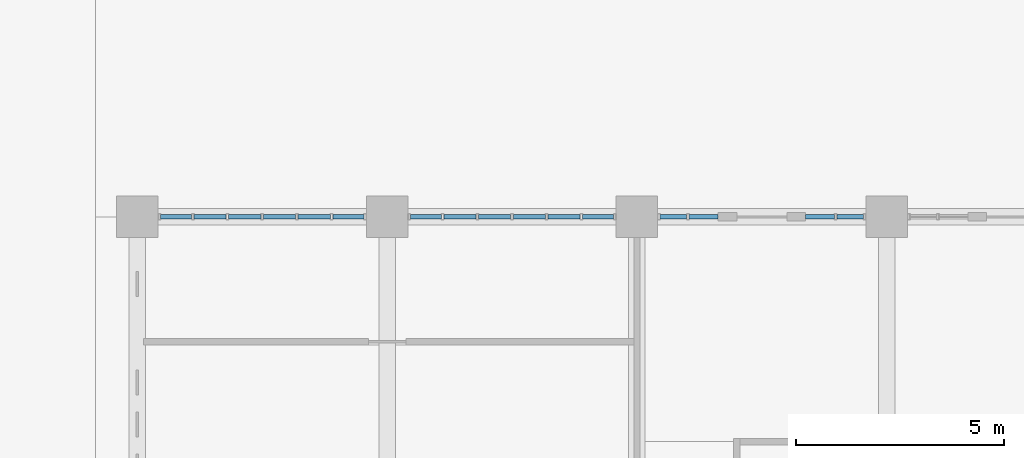
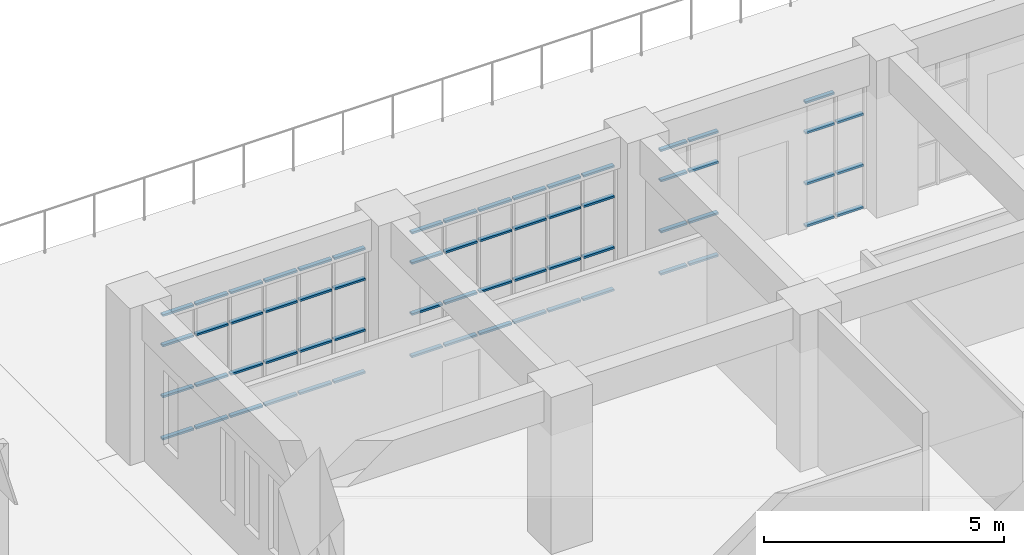
# One storey, part 58 of 101: 63 members, 4 elements without a shape of their own.
"""IFC4 building model written with IfcOpenShell, lengths in metres."""

import ifcopenshell
import ifcopenshell.guid

model = None  # the IFC model being written
_history = None  # IfcOwnerHistory: only IFC2X3 demands one
_inside = {}  # id of a spatial element -> (the spatial element, [elements in it])
_under = {}  # id of a project, library or spatial element -> (it, [spatial elements below it])
_declared = {}  # id of a project -> (the project, [libraries it declares])
_typed = {}  # id of a type object -> (the type object, [elements of that type])
_made_of = {}  # id of a material, layer set ... -> (it, [elements and type objects made of it])


def new_model(schema):
    """Start an empty IFC model of exactly this schema.

    Asked for "IFC4X3", IfcOpenShell would pick the latest addendum, in which some entities
    have other attributes; the version numbers below select the first issue.
    IFC2X3 requires an IfcOwnerHistory on every rooted entity: one is made here for all.
    """
    global model, _history
    if schema == "IFC4X3":
        model = ifcopenshell.file(schema_version=(4, 3, 0, 0))
    else:
        model = ifcopenshell.file(schema=schema)
    _inside.clear()
    _under.clear()
    _declared.clear()
    _typed.clear()
    _made_of.clear()
    _history = None
    if model.schema == "IFC2X3":
        org = make("IfcOrganization", Name="unknown")
        user = make(
            "IfcPersonAndOrganization",
            ThePerson=make("IfcPerson", FamilyName="unknown"),
            TheOrganization=org,
        )
        app = make(
            "IfcApplication",
            ApplicationDeveloper=org,
            Version="unknown",
            ApplicationFullName="unknown",
            ApplicationIdentifier="unknown",
        )
        _history = make(
            "IfcOwnerHistory",
            OwningUser=user,
            OwningApplication=app,
            ChangeAction="ADDED",
            CreationDate=0,
        )
    return model


def make(cls, **values):
    """One entity of the class cls with the attributes given. An attribute that is None is left unset."""
    return model.create_entity(
        cls, **{name: value for name, value in values.items() if value is not None}
    )


def rooted(cls, **values):
    """An entity with a GlobalId (a new one), such as an element, a storey or a relation."""
    return make(cls, GlobalId=ifcopenshell.guid.new(), OwnerHistory=_history, **values)


def si_unit(unit_type, name, prefix=None):
    """IfcSIUnit, for example si_unit("LENGTHUNIT", "METRE", prefix="MILLI")."""
    return make("IfcSIUnit", UnitType=unit_type, Prefix=prefix, Name=name)


def assignment(units):
    """IfcUnitAssignment: the units of a project."""
    return None if units is None else make("IfcUnitAssignment", Units=units)


def point(xyz):
    """IfcCartesianPoint."""
    return None if xyz is None else make("IfcCartesianPoint", Coordinates=xyz)


def direction(xyz):
    """IfcDirection."""
    return None if xyz is None else make("IfcDirection", DirectionRatios=xyz)


def frame(location, z_axis=None, x_axis=None):
    """IfcAxis2Placement3D, a coordinate frame: its origin and axes. An axis left out is left unset."""
    return make(
        "IfcAxis2Placement3D",
        Location=point(location),
        Axis=direction(z_axis),
        RefDirection=direction(x_axis),
    )


def frame_2d(location, x_axis=None):
    """IfcAxis2Placement2D, a coordinate frame in the plane: its origin and x axis."""
    return make(
        "IfcAxis2Placement2D", Location=point(location), RefDirection=direction(x_axis)
    )


def origin():
    """The frame at (0, 0, 0) with its axes left unset."""
    return frame((0.0, 0.0, 0.0))


def origin_2d():
    """The frame at (0, 0) in the plane with its x axis left unset."""
    return frame_2d((0.0, 0.0))


def place(relative_to, where):
    """IfcLocalPlacement: puts the frame where relative to a parent placement (None: the world)."""
    return make(
        "IfcLocalPlacement", PlacementRelTo=relative_to, RelativePlacement=where
    )


def context(
    kind, dimensions, precision=None, world=None, true_north=None, identifier=None
):
    """IfcGeometricRepresentationContext, for example the 3D "Model" context."""
    return make(
        "IfcGeometricRepresentationContext",
        ContextIdentifier=identifier,
        ContextType=kind,
        CoordinateSpaceDimension=dimensions,
        Precision=precision,
        WorldCoordinateSystem=world,
        TrueNorth=true_north,
    )


def subcontext(parent, identifier, kind, view, scale=None):
    """IfcGeometricRepresentationSubContext, for example "Body" below "Model"."""
    return make(
        "IfcGeometricRepresentationSubContext",
        ContextIdentifier=identifier,
        ContextType=kind,
        ParentContext=parent,
        TargetScale=scale,
        TargetView=view,
    )


def project(units=None, contexts=None):
    """IfcProject with its units and contexts."""
    return rooted(
        "IfcProject",
        Name="project",
        RepresentationContexts=contexts,
        UnitsInContext=assignment(units),
    )


def spatial(cls, under=None, at=None, **own):
    """A site, building, storey or space (cls), placed at a placement, below another one or the project."""
    s = rooted(cls, ObjectPlacement=at, **own)
    if under is not None:
        _under.setdefault(under.id(), (under, []))[1].append(s)
    return s


def profile(cls, at=None, kind="AREA", **sizes):
    """A parametric profile (cls). Its sizes go by their IFC names, for example OverallWidth=200.0."""
    return make(cls, ProfileType=kind, Position=at, **sizes)


def hollow_rectangle(**sizes):
    """IfcRectangleHollowProfileDef."""
    return profile("IfcRectangleHollowProfileDef", **sizes)


def extrude(swept, where, along, depth):
    """IfcExtrudedAreaSolid: the profile swept, set in the frame where, extruded along a direction by depth."""
    return make(
        "IfcExtrudedAreaSolid",
        SweptArea=swept,
        Position=where,
        ExtrudedDirection=direction(along),
        Depth=depth,
    )


def shape(context_of_items, identifier, shape_type, items):
    """IfcShapeRepresentation: the items that make up one representation, for example the "Body"."""
    return make(
        "IfcShapeRepresentation",
        ContextOfItems=context_of_items,
        RepresentationIdentifier=identifier,
        RepresentationType=shape_type,
        Items=items,
    )


def material(Name=None, Category=None):
    """IfcMaterial."""
    return make("IfcMaterial", Name=Name, Category=Category)


def material_profile(
    of_material, cross_section, Name=None, Category=None, Priority=None
):
    """IfcMaterialProfile: a cross section and its material."""
    return make(
        "IfcMaterialProfile",
        Name=Name,
        Material=of_material,
        Profile=cross_section,
        Priority=Priority,
        Category=Category,
    )


def profile_set(profiles, Name=None, composite=None):
    """IfcMaterialProfileSet."""
    return make(
        "IfcMaterialProfileSet",
        Name=Name,
        MaterialProfiles=profiles,
        CompositeProfile=composite,
    )


def made_of(thing, what):
    """Note that an element or type object is made of a material, layer set ...; save() writes the relation."""
    if what is not None:
        _made_of.setdefault(what.id(), (what, []))[1].append(thing)
    return thing


def type_object(cls, material=None, **own):
    """A type object (cls), such as IfcWallType, which elements share."""
    return made_of(rooted(cls, **own), material)


def element(
    cls,
    number,
    at=None,
    inside=None,
    cuts=None,
    type_object=None,
    material=None,
    context=None,
    identifier="Body",
    shape_type=None,
    held_by="IfcProductDefinitionShape",
    body=None,
    shapes=None,
    **own,
):
    """One element of the class cls, such as IfcWall. Its Tag is "e" and its number.

    at: its placement. inside: the storey or other place that contains it. cuts: it is an
    opening in that element (IfcRelVoidsElement). A single representation is given by context,
    identifier, shape_type and body (its items); several are given by shapes. held_by: the class
    of the entity that holds the representations. save() writes the other relations.
    """
    e = rooted(cls, Tag="e%d" % number, ObjectPlacement=at, **own)
    if body is not None:
        shapes = [shape(context, identifier, shape_type, body)]
    if shapes is not None:
        e.Representation = make(held_by, Representations=shapes)
    if inside is not None:
        _inside.setdefault(inside.id(), (inside, []))[1].append(e)
    if cuts is not None:
        rooted(
            "IfcRelVoidsElement", RelatingBuildingElement=cuts, RelatedOpeningElement=e
        )
    if type_object is not None:
        _typed.setdefault(type_object.id(), (type_object, []))[1].append(e)
    return made_of(e, material)


def aggregate(whole, parts):
    """IfcRelAggregates: a whole, such as a stair, and the parts it consists of."""
    return rooted("IfcRelAggregates", RelatingObject=whole, RelatedObjects=parts)


def save(model, path):
    """Write the relations noted so far, then the file.

    IfcRelAggregates (storeys below a building ...), IfcRelContainedInSpatialStructure (elements
    in a storey), IfcRelDefinesByType, IfcRelAssociatesMaterial and IfcRelDeclares: one each for
    every whole, place, type object, material and project.
    """
    for whole, parts in _under.values():
        aggregate(whole, parts)
    for where, things in _inside.values():
        rooted(
            "IfcRelContainedInSpatialStructure",
            RelatedElements=things,
            RelatingStructure=where,
        )
    for kind, things in _typed.values():
        rooted("IfcRelDefinesByType", RelatedObjects=things, RelatingType=kind)
    for what, things in _made_of.values():
        rooted("IfcRelAssociatesMaterial", RelatedObjects=things, RelatingMaterial=what)
    for by, libraries in _declared.values():
        rooted("IfcRelDeclares", RelatingContext=by, RelatedDefinitions=libraries)
    model.write(path)


model = new_model("IFC4")

# Units and contexts
model_context = context("Model", 3, precision=1e-05, world=origin(), true_north=direction((0.0, 1.0)))
body_context = subcontext(model_context, "Body", "Model", "MODEL_VIEW")
ifc_project = project(units=[si_unit("LENGTHUNIT", "METRE"), si_unit("AREAUNIT", "SQUARE_METRE"), si_unit("VOLUMEUNIT", "CUBIC_METRE"), si_unit("PLANEANGLEUNIT", "RADIAN"), si_unit("MASSUNIT", "GRAM", prefix="KILO")], contexts=[model_context])

# Site, building, storey
site_placement = place(None, origin())
site = spatial("IfcSite", under=ifc_project, at=site_placement, CompositionType="ELEMENT")
building_placement = place(site_placement, origin())
building = spatial("IfcBuilding", under=site, at=building_placement, Name="Laocheng Heights Fire and Rescue Headquarters", CompositionType="ELEMENT")
storey_placement = place(building_placement, frame((0.0, 0.0, 8.39990234375)))
storey = spatial("IfcBuildingStorey", under=building, at=storey_placement, Name="L02", CompositionType="ELEMENT", Elevation=8.39990234375)

# Curtain wall, members
ifc_material_1 = material(Name="Dark anodised aluminium unitised curtain wall, low-e double glazing", Category="aluminium")
curtain_wall_type_1 = type_object("IfcCurtainWallType", Name="CW 5000 x 3200 HQ NORTH GLAZING", PredefinedType="NOTDEFINED", material=ifc_material_1)
curtain_wall_1_placement = place(storey_placement, origin())
curtain_wall_1 = element("IfcCurtainWall", 1, at=curtain_wall_1_placement, inside=storey, type_object=curtain_wall_type_1, Name="X17-X HQ NORTH L02", PredefinedType="NOTDEFINED")
ifc_material_2 = material(Name="Dark anodised aluminium 6063-T5 extrusion", Category="aluminium")
ifc_material_profile = material_profile(ifc_material_2, hollow_rectangle(XDim=0.10009765625, YDim=0.050048828125, WallThickness=0.0029296875, at=origin_2d()), Name="AL TRANSOM 100x50x3 HQ NORTH GLAZING")
ifc_profile_set = profile_set([ifc_material_profile], Name="Dark anodised aluminium 6063-T5 extrusion")
member_type = type_object("IfcMemberType", Name="AL TRANSOM 100x50x3 HQ NORTH GLAZING", PredefinedType="USERDEFINED", material=ifc_profile_set)
member_1_placement = place(storey_placement, frame((36.56005859375, 72.0, 0.025146484375), z_axis=(1.0, 0.0, 0.0), x_axis=(0.0, 1.0, 0.0)))
member_1 = element("IfcMember", 2, at=member_1_placement, type_object=member_type, Name="X17-X transom 1.1", ObjectType="TRANSOM", PredefinedType="USERDEFINED", context=body_context, shape_type="SweptSolid", body=[
    extrude(hollow_rectangle(XDim=0.10009765625, YDim=0.050048828125, WallThickness=0.0029296875, at=origin_2d()), origin(), (0.0, 0.0, 1.0), 0.7431640625),
])
member_2_placement = place(storey_placement, frame((36.56005859375, 72.0, 1.10009765625), z_axis=(1.0, 0.0, 0.0), x_axis=(0.0, 1.0, 0.0)))
member_2 = element("IfcMember", 3, at=member_2_placement, type_object=member_type, Name="X17-X transom 1.2", ObjectType="TRANSOM", PredefinedType="USERDEFINED", context=body_context, shape_type="SweptSolid", body=[
    extrude(hollow_rectangle(XDim=0.10009765625, YDim=0.050048828125, WallThickness=0.0029296875, at=origin_2d()), origin(), (0.0, 0.0, 1.0), 0.7431640625),
])
member_3_placement = place(storey_placement, frame((36.56005859375, 72.0, 2.400146484375), z_axis=(1.0, 0.0, 0.0), x_axis=(0.0, 1.0, 0.0)))
member_3 = element("IfcMember", 4, at=member_3_placement, type_object=member_type, Name="X17-X transom 1.3", ObjectType="TRANSOM", PredefinedType="USERDEFINED", context=body_context, shape_type="SweptSolid", body=[
    extrude(hollow_rectangle(XDim=0.10009765625, YDim=0.050048828125, WallThickness=0.0029296875, at=origin_2d()), origin(), (0.0, 0.0, 1.0), 0.7431640625),
])
member_4_placement = place(storey_placement, frame((36.56005859375, 72.0, 3.175048828125), z_axis=(1.0, 0.0, 0.0), x_axis=(0.0, 1.0, 0.0)))
member_4 = element("IfcMember", 5, at=member_4_placement, type_object=member_type, Name="X17-X transom 1.4", ObjectType="TRANSOM", PredefinedType="USERDEFINED", context=body_context, shape_type="SweptSolid", body=[
    extrude(hollow_rectangle(XDim=0.10009765625, YDim=0.050048828125, WallThickness=0.0029296875, at=origin_2d()), origin(), (0.0, 0.0, 1.0), 0.7431640625),
])
member_5_placement = place(storey_placement, frame((37.36328125, 72.0, 0.025146484375), z_axis=(1.0, 0.0, 0.0), x_axis=(0.0, 1.0, 0.0)))
member_5 = element("IfcMember", 6, at=member_5_placement, type_object=member_type, Name="X17-X transom 2.1", ObjectType="TRANSOM", PredefinedType="USERDEFINED", context=body_context, shape_type="SweptSolid", body=[
    extrude(hollow_rectangle(XDim=0.10009765625, YDim=0.050048828125, WallThickness=0.0029296875, at=origin_2d()), origin(), (0.0, 0.0, 1.0), 0.7734375),
])
member_6_placement = place(storey_placement, frame((37.36328125, 72.0, 1.10009765625), z_axis=(1.0, 0.0, 0.0), x_axis=(0.0, 1.0, 0.0)))
member_6 = element("IfcMember", 7, at=member_6_placement, type_object=member_type, Name="X17-X transom 2.2", ObjectType="TRANSOM", PredefinedType="USERDEFINED", context=body_context, shape_type="SweptSolid", body=[
    extrude(hollow_rectangle(XDim=0.10009765625, YDim=0.050048828125, WallThickness=0.0029296875, at=origin_2d()), origin(), (0.0, 0.0, 1.0), 0.7734375),
])
member_7_placement = place(storey_placement, frame((37.36328125, 72.0, 2.400146484375), z_axis=(1.0, 0.0, 0.0), x_axis=(0.0, 1.0, 0.0)))
member_7 = element("IfcMember", 8, at=member_7_placement, type_object=member_type, Name="X17-X transom 2.3", ObjectType="TRANSOM", PredefinedType="USERDEFINED", context=body_context, shape_type="SweptSolid", body=[
    extrude(hollow_rectangle(XDim=0.10009765625, YDim=0.050048828125, WallThickness=0.0029296875, at=origin_2d()), origin(), (0.0, 0.0, 1.0), 0.7734375),
])
member_8_placement = place(storey_placement, frame((37.36328125, 72.0, 3.175048828125), z_axis=(1.0, 0.0, 0.0), x_axis=(0.0, 1.0, 0.0)))
member_8 = element("IfcMember", 9, at=member_8_placement, type_object=member_type, Name="X17-X transom 2.4", ObjectType="TRANSOM", PredefinedType="USERDEFINED", context=body_context, shape_type="SweptSolid", body=[
    extrude(hollow_rectangle(XDim=0.10009765625, YDim=0.050048828125, WallThickness=0.0029296875, at=origin_2d()), origin(), (0.0, 0.0, 1.0), 0.7734375),
])
member_9_placement = place(storey_placement, frame((38.19677734375, 72.0, 0.025146484375), z_axis=(1.0, 0.0, 0.0), x_axis=(0.0, 1.0, 0.0)))
member_9 = element("IfcMember", 10, at=member_9_placement, type_object=member_type, Name="X17-X transom 3.1", ObjectType="TRANSOM", PredefinedType="USERDEFINED", context=body_context, shape_type="SweptSolid", body=[
    extrude(hollow_rectangle(XDim=0.10009765625, YDim=0.050048828125, WallThickness=0.0029296875, at=origin_2d()), origin(), (0.0, 0.0, 1.0), 0.773193359375),
])
member_10_placement = place(storey_placement, frame((38.19677734375, 72.0, 1.10009765625), z_axis=(1.0, 0.0, 0.0), x_axis=(0.0, 1.0, 0.0)))
member_10 = element("IfcMember", 11, at=member_10_placement, type_object=member_type, Name="X17-X transom 3.2", ObjectType="TRANSOM", PredefinedType="USERDEFINED", context=body_context, shape_type="SweptSolid", body=[
    extrude(hollow_rectangle(XDim=0.10009765625, YDim=0.050048828125, WallThickness=0.0029296875, at=origin_2d()), origin(), (0.0, 0.0, 1.0), 0.773193359375),
])
member_11_placement = place(storey_placement, frame((38.19677734375, 72.0, 2.400146484375), z_axis=(1.0, 0.0, 0.0), x_axis=(0.0, 1.0, 0.0)))
member_11 = element("IfcMember", 12, at=member_11_placement, type_object=member_type, Name="X17-X transom 3.3", ObjectType="TRANSOM", PredefinedType="USERDEFINED", context=body_context, shape_type="SweptSolid", body=[
    extrude(hollow_rectangle(XDim=0.10009765625, YDim=0.050048828125, WallThickness=0.0029296875, at=origin_2d()), origin(), (0.0, 0.0, 1.0), 0.773193359375),
])
member_12_placement = place(storey_placement, frame((38.19677734375, 72.0, 3.175048828125), z_axis=(1.0, 0.0, 0.0), x_axis=(0.0, 1.0, 0.0)))
member_12 = element("IfcMember", 13, at=member_12_placement, type_object=member_type, Name="X17-X transom 3.4", ObjectType="TRANSOM", PredefinedType="USERDEFINED", context=body_context, shape_type="SweptSolid", body=[
    extrude(hollow_rectangle(XDim=0.10009765625, YDim=0.050048828125, WallThickness=0.0029296875, at=origin_2d()), origin(), (0.0, 0.0, 1.0), 0.773193359375),
])
member_13_placement = place(storey_placement, frame((39.030029296875, 72.0, 0.025146484375), z_axis=(1.0, 0.0, 0.0), x_axis=(0.0, 1.0, 0.0)))
member_13 = element("IfcMember", 14, at=member_13_placement, type_object=member_type, Name="X17-X transom 4.1", ObjectType="TRANSOM", PredefinedType="USERDEFINED", context=body_context, shape_type="SweptSolid", body=[
    extrude(hollow_rectangle(XDim=0.10009765625, YDim=0.050048828125, WallThickness=0.0029296875, at=origin_2d()), origin(), (0.0, 0.0, 1.0), 0.773193359375),
])
member_14_placement = place(storey_placement, frame((39.030029296875, 72.0, 1.10009765625), z_axis=(1.0, 0.0, 0.0), x_axis=(0.0, 1.0, 0.0)))
member_14 = element("IfcMember", 15, at=member_14_placement, type_object=member_type, Name="X17-X transom 4.2", ObjectType="TRANSOM", PredefinedType="USERDEFINED", context=body_context, shape_type="SweptSolid", body=[
    extrude(hollow_rectangle(XDim=0.10009765625, YDim=0.050048828125, WallThickness=0.0029296875, at=origin_2d()), origin(), (0.0, 0.0, 1.0), 0.773193359375),
])
member_15_placement = place(storey_placement, frame((39.030029296875, 72.0, 2.400146484375), z_axis=(1.0, 0.0, 0.0), x_axis=(0.0, 1.0, 0.0)))
member_15 = element("IfcMember", 16, at=member_15_placement, type_object=member_type, Name="X17-X transom 4.3", ObjectType="TRANSOM", PredefinedType="USERDEFINED", context=body_context, shape_type="SweptSolid", body=[
    extrude(hollow_rectangle(XDim=0.10009765625, YDim=0.050048828125, WallThickness=0.0029296875, at=origin_2d()), origin(), (0.0, 0.0, 1.0), 0.773193359375),
])
member_16_placement = place(storey_placement, frame((39.030029296875, 72.0, 3.175048828125), z_axis=(1.0, 0.0, 0.0), x_axis=(0.0, 1.0, 0.0)))
member_16 = element("IfcMember", 17, at=member_16_placement, type_object=member_type, Name="X17-X transom 4.4", ObjectType="TRANSOM", PredefinedType="USERDEFINED", context=body_context, shape_type="SweptSolid", body=[
    extrude(hollow_rectangle(XDim=0.10009765625, YDim=0.050048828125, WallThickness=0.0029296875, at=origin_2d()), origin(), (0.0, 0.0, 1.0), 0.773193359375),
])
member_17_placement = place(storey_placement, frame((39.86328125, 72.0, 0.025146484375), z_axis=(1.0, 0.0, 0.0), x_axis=(0.0, 1.0, 0.0)))
member_17 = element("IfcMember", 18, at=member_17_placement, type_object=member_type, Name="X17-X transom 5.1", ObjectType="TRANSOM", PredefinedType="USERDEFINED", context=body_context, shape_type="SweptSolid", body=[
    extrude(hollow_rectangle(XDim=0.10009765625, YDim=0.050048828125, WallThickness=0.0029296875, at=origin_2d()), origin(), (0.0, 0.0, 1.0), 0.7734375),
])
member_18_placement = place(storey_placement, frame((39.86328125, 72.0, 1.10009765625), z_axis=(1.0, 0.0, 0.0), x_axis=(0.0, 1.0, 0.0)))
member_18 = element("IfcMember", 19, at=member_18_placement, type_object=member_type, Name="X17-X transom 5.2", ObjectType="TRANSOM", PredefinedType="USERDEFINED", context=body_context, shape_type="SweptSolid", body=[
    extrude(hollow_rectangle(XDim=0.10009765625, YDim=0.050048828125, WallThickness=0.0029296875, at=origin_2d()), origin(), (0.0, 0.0, 1.0), 0.7734375),
])
member_19_placement = place(storey_placement, frame((39.86328125, 72.0, 2.400146484375), z_axis=(1.0, 0.0, 0.0), x_axis=(0.0, 1.0, 0.0)))
member_19 = element("IfcMember", 20, at=member_19_placement, type_object=member_type, Name="X17-X transom 5.3", ObjectType="TRANSOM", PredefinedType="USERDEFINED", context=body_context, shape_type="SweptSolid", body=[
    extrude(hollow_rectangle(XDim=0.10009765625, YDim=0.050048828125, WallThickness=0.0029296875, at=origin_2d()), origin(), (0.0, 0.0, 1.0), 0.7734375),
])
member_20_placement = place(storey_placement, frame((39.86328125, 72.0, 3.175048828125), z_axis=(1.0, 0.0, 0.0), x_axis=(0.0, 1.0, 0.0)))
member_20 = element("IfcMember", 21, at=member_20_placement, type_object=member_type, Name="X17-X transom 5.4", ObjectType="TRANSOM", PredefinedType="USERDEFINED", context=body_context, shape_type="SweptSolid", body=[
    extrude(hollow_rectangle(XDim=0.10009765625, YDim=0.050048828125, WallThickness=0.0029296875, at=origin_2d()), origin(), (0.0, 0.0, 1.0), 0.7734375),
])
member_21_placement = place(storey_placement, frame((40.69677734375, 72.0, 0.025146484375), z_axis=(1.0, 0.0, 0.0), x_axis=(0.0, 1.0, 0.0)))
member_21 = element("IfcMember", 22, at=member_21_placement, type_object=member_type, Name="X17-X transom 6.1", ObjectType="TRANSOM", PredefinedType="USERDEFINED", context=body_context, shape_type="SweptSolid", body=[
    extrude(hollow_rectangle(XDim=0.10009765625, YDim=0.050048828125, WallThickness=0.0029296875, at=origin_2d()), origin(), (0.0, 0.0, 1.0), 0.7431640625),
])
member_22_placement = place(storey_placement, frame((40.69677734375, 72.0, 1.10009765625), z_axis=(1.0, 0.0, 0.0), x_axis=(0.0, 1.0, 0.0)))
member_22 = element("IfcMember", 23, at=member_22_placement, type_object=member_type, Name="X17-X transom 6.2", ObjectType="TRANSOM", PredefinedType="USERDEFINED", context=body_context, shape_type="SweptSolid", body=[
    extrude(hollow_rectangle(XDim=0.10009765625, YDim=0.050048828125, WallThickness=0.0029296875, at=origin_2d()), origin(), (0.0, 0.0, 1.0), 0.7431640625),
])
member_23_placement = place(storey_placement, frame((40.69677734375, 72.0, 2.400146484375), z_axis=(1.0, 0.0, 0.0), x_axis=(0.0, 1.0, 0.0)))
member_23 = element("IfcMember", 24, at=member_23_placement, type_object=member_type, Name="X17-X transom 6.3", ObjectType="TRANSOM", PredefinedType="USERDEFINED", context=body_context, shape_type="SweptSolid", body=[
    extrude(hollow_rectangle(XDim=0.10009765625, YDim=0.050048828125, WallThickness=0.0029296875, at=origin_2d()), origin(), (0.0, 0.0, 1.0), 0.7431640625),
])
member_24_placement = place(storey_placement, frame((40.69677734375, 72.0, 3.175048828125), z_axis=(1.0, 0.0, 0.0), x_axis=(0.0, 1.0, 0.0)))
member_24 = element("IfcMember", 25, at=member_24_placement, type_object=member_type, Name="X17-X transom 6.4", ObjectType="TRANSOM", PredefinedType="USERDEFINED", context=body_context, shape_type="SweptSolid", body=[
    extrude(hollow_rectangle(XDim=0.10009765625, YDim=0.050048828125, WallThickness=0.0029296875, at=origin_2d()), origin(), (0.0, 0.0, 1.0), 0.7431640625),
])
aggregate(curtain_wall_1, [member_1, member_2, member_3, member_4, member_5, member_6, member_7, member_8, member_9, member_10, member_11, member_12, member_13, member_14, member_15, member_16, member_17, member_18, member_19, member_20, member_21, member_22, member_23, member_24])

curtain_wall_2_placement = place(storey_placement, origin())
curtain_wall_2 = element("IfcCurtainWall", 26, at=curtain_wall_2_placement, inside=storey, type_object=curtain_wall_type_1, Name="X17-X HQ NORTH L02", PredefinedType="NOTDEFINED")
member_25_placement = place(storey_placement, frame((42.56005859375, 72.0, 0.025146484375), z_axis=(1.0, 0.0, 0.0), x_axis=(0.0, 1.0, 0.0)))
member_25 = element("IfcMember", 27, at=member_25_placement, type_object=member_type, Name="X17-X transom 1.1", ObjectType="TRANSOM", PredefinedType="USERDEFINED", context=body_context, shape_type="SweptSolid", body=[
    extrude(hollow_rectangle(XDim=0.10009765625, YDim=0.050048828125, WallThickness=0.0029296875, at=origin_2d()), origin(), (0.0, 0.0, 1.0), 0.7431640625),
])
member_26_placement = place(storey_placement, frame((42.56005859375, 72.0, 1.10009765625), z_axis=(1.0, 0.0, 0.0), x_axis=(0.0, 1.0, 0.0)))
member_26 = element("IfcMember", 28, at=member_26_placement, type_object=member_type, Name="X17-X transom 1.2", ObjectType="TRANSOM", PredefinedType="USERDEFINED", context=body_context, shape_type="SweptSolid", body=[
    extrude(hollow_rectangle(XDim=0.10009765625, YDim=0.050048828125, WallThickness=0.0029296875, at=origin_2d()), origin(), (0.0, 0.0, 1.0), 0.7431640625),
])
member_27_placement = place(storey_placement, frame((42.56005859375, 72.0, 2.400146484375), z_axis=(1.0, 0.0, 0.0), x_axis=(0.0, 1.0, 0.0)))
member_27 = element("IfcMember", 29, at=member_27_placement, type_object=member_type, Name="X17-X transom 1.3", ObjectType="TRANSOM", PredefinedType="USERDEFINED", context=body_context, shape_type="SweptSolid", body=[
    extrude(hollow_rectangle(XDim=0.10009765625, YDim=0.050048828125, WallThickness=0.0029296875, at=origin_2d()), origin(), (0.0, 0.0, 1.0), 0.7431640625),
])
member_28_placement = place(storey_placement, frame((42.56005859375, 72.0, 3.175048828125), z_axis=(1.0, 0.0, 0.0), x_axis=(0.0, 1.0, 0.0)))
member_28 = element("IfcMember", 30, at=member_28_placement, type_object=member_type, Name="X17-X transom 1.4", ObjectType="TRANSOM", PredefinedType="USERDEFINED", context=body_context, shape_type="SweptSolid", body=[
    extrude(hollow_rectangle(XDim=0.10009765625, YDim=0.050048828125, WallThickness=0.0029296875, at=origin_2d()), origin(), (0.0, 0.0, 1.0), 0.7431640625),
])
member_29_placement = place(storey_placement, frame((43.36328125, 72.0, 0.025146484375), z_axis=(1.0, 0.0, 0.0), x_axis=(0.0, 1.0, 0.0)))
member_29 = element("IfcMember", 31, at=member_29_placement, type_object=member_type, Name="X17-X transom 2.1", ObjectType="TRANSOM", PredefinedType="USERDEFINED", context=body_context, shape_type="SweptSolid", body=[
    extrude(hollow_rectangle(XDim=0.10009765625, YDim=0.050048828125, WallThickness=0.0029296875, at=origin_2d()), origin(), (0.0, 0.0, 1.0), 0.7734375),
])
member_30_placement = place(storey_placement, frame((43.36328125, 72.0, 1.10009765625), z_axis=(1.0, 0.0, 0.0), x_axis=(0.0, 1.0, 0.0)))
member_30 = element("IfcMember", 32, at=member_30_placement, type_object=member_type, Name="X17-X transom 2.2", ObjectType="TRANSOM", PredefinedType="USERDEFINED", context=body_context, shape_type="SweptSolid", body=[
    extrude(hollow_rectangle(XDim=0.10009765625, YDim=0.050048828125, WallThickness=0.0029296875, at=origin_2d()), origin(), (0.0, 0.0, 1.0), 0.7734375),
])
member_31_placement = place(storey_placement, frame((43.36328125, 72.0, 2.400146484375), z_axis=(1.0, 0.0, 0.0), x_axis=(0.0, 1.0, 0.0)))
member_31 = element("IfcMember", 33, at=member_31_placement, type_object=member_type, Name="X17-X transom 2.3", ObjectType="TRANSOM", PredefinedType="USERDEFINED", context=body_context, shape_type="SweptSolid", body=[
    extrude(hollow_rectangle(XDim=0.10009765625, YDim=0.050048828125, WallThickness=0.0029296875, at=origin_2d()), origin(), (0.0, 0.0, 1.0), 0.7734375),
])
member_32_placement = place(storey_placement, frame((43.36328125, 72.0, 3.175048828125), z_axis=(1.0, 0.0, 0.0), x_axis=(0.0, 1.0, 0.0)))
member_32 = element("IfcMember", 34, at=member_32_placement, type_object=member_type, Name="X17-X transom 2.4", ObjectType="TRANSOM", PredefinedType="USERDEFINED", context=body_context, shape_type="SweptSolid", body=[
    extrude(hollow_rectangle(XDim=0.10009765625, YDim=0.050048828125, WallThickness=0.0029296875, at=origin_2d()), origin(), (0.0, 0.0, 1.0), 0.7734375),
])
member_33_placement = place(storey_placement, frame((44.19677734375, 72.0, 0.025146484375), z_axis=(1.0, 0.0, 0.0), x_axis=(0.0, 1.0, 0.0)))
member_33 = element("IfcMember", 35, at=member_33_placement, type_object=member_type, Name="X17-X transom 3.1", ObjectType="TRANSOM", PredefinedType="USERDEFINED", context=body_context, shape_type="SweptSolid", body=[
    extrude(hollow_rectangle(XDim=0.10009765625, YDim=0.050048828125, WallThickness=0.0029296875, at=origin_2d()), origin(), (0.0, 0.0, 1.0), 0.773193359375),
])
member_34_placement = place(storey_placement, frame((44.19677734375, 72.0, 1.10009765625), z_axis=(1.0, 0.0, 0.0), x_axis=(0.0, 1.0, 0.0)))
member_34 = element("IfcMember", 36, at=member_34_placement, type_object=member_type, Name="X17-X transom 3.2", ObjectType="TRANSOM", PredefinedType="USERDEFINED", context=body_context, shape_type="SweptSolid", body=[
    extrude(hollow_rectangle(XDim=0.10009765625, YDim=0.050048828125, WallThickness=0.0029296875, at=origin_2d()), origin(), (0.0, 0.0, 1.0), 0.773193359375),
])
member_35_placement = place(storey_placement, frame((44.19677734375, 72.0, 2.400146484375), z_axis=(1.0, 0.0, 0.0), x_axis=(0.0, 1.0, 0.0)))
member_35 = element("IfcMember", 37, at=member_35_placement, type_object=member_type, Name="X17-X transom 3.3", ObjectType="TRANSOM", PredefinedType="USERDEFINED", context=body_context, shape_type="SweptSolid", body=[
    extrude(hollow_rectangle(XDim=0.10009765625, YDim=0.050048828125, WallThickness=0.0029296875, at=origin_2d()), origin(), (0.0, 0.0, 1.0), 0.773193359375),
])
member_36_placement = place(storey_placement, frame((44.19677734375, 72.0, 3.175048828125), z_axis=(1.0, 0.0, 0.0), x_axis=(0.0, 1.0, 0.0)))
member_36 = element("IfcMember", 38, at=member_36_placement, type_object=member_type, Name="X17-X transom 3.4", ObjectType="TRANSOM", PredefinedType="USERDEFINED", context=body_context, shape_type="SweptSolid", body=[
    extrude(hollow_rectangle(XDim=0.10009765625, YDim=0.050048828125, WallThickness=0.0029296875, at=origin_2d()), origin(), (0.0, 0.0, 1.0), 0.773193359375),
])
member_37_placement = place(storey_placement, frame((45.030029296875, 72.0, 0.025146484375), z_axis=(1.0, 0.0, 0.0), x_axis=(0.0, 1.0, 0.0)))
member_37 = element("IfcMember", 39, at=member_37_placement, type_object=member_type, Name="X17-X transom 4.1", ObjectType="TRANSOM", PredefinedType="USERDEFINED", context=body_context, shape_type="SweptSolid", body=[
    extrude(hollow_rectangle(XDim=0.10009765625, YDim=0.050048828125, WallThickness=0.0029296875, at=origin_2d()), origin(), (0.0, 0.0, 1.0), 0.773193359375),
])
member_38_placement = place(storey_placement, frame((45.030029296875, 72.0, 1.10009765625), z_axis=(1.0, 0.0, 0.0), x_axis=(0.0, 1.0, 0.0)))
member_38 = element("IfcMember", 40, at=member_38_placement, type_object=member_type, Name="X17-X transom 4.2", ObjectType="TRANSOM", PredefinedType="USERDEFINED", context=body_context, shape_type="SweptSolid", body=[
    extrude(hollow_rectangle(XDim=0.10009765625, YDim=0.050048828125, WallThickness=0.0029296875, at=origin_2d()), origin(), (0.0, 0.0, 1.0), 0.773193359375),
])
member_39_placement = place(storey_placement, frame((45.030029296875, 72.0, 2.400146484375), z_axis=(1.0, 0.0, 0.0), x_axis=(0.0, 1.0, 0.0)))
member_39 = element("IfcMember", 41, at=member_39_placement, type_object=member_type, Name="X17-X transom 4.3", ObjectType="TRANSOM", PredefinedType="USERDEFINED", context=body_context, shape_type="SweptSolid", body=[
    extrude(hollow_rectangle(XDim=0.10009765625, YDim=0.050048828125, WallThickness=0.0029296875, at=origin_2d()), origin(), (0.0, 0.0, 1.0), 0.773193359375),
])
member_40_placement = place(storey_placement, frame((45.030029296875, 72.0, 3.175048828125), z_axis=(1.0, 0.0, 0.0), x_axis=(0.0, 1.0, 0.0)))
member_40 = element("IfcMember", 42, at=member_40_placement, type_object=member_type, Name="X17-X transom 4.4", ObjectType="TRANSOM", PredefinedType="USERDEFINED", context=body_context, shape_type="SweptSolid", body=[
    extrude(hollow_rectangle(XDim=0.10009765625, YDim=0.050048828125, WallThickness=0.0029296875, at=origin_2d()), origin(), (0.0, 0.0, 1.0), 0.773193359375),
])
member_41_placement = place(storey_placement, frame((45.86328125, 72.0, 0.025146484375), z_axis=(1.0, 0.0, 0.0), x_axis=(0.0, 1.0, 0.0)))
member_41 = element("IfcMember", 43, at=member_41_placement, type_object=member_type, Name="X17-X transom 5.1", ObjectType="TRANSOM", PredefinedType="USERDEFINED", context=body_context, shape_type="SweptSolid", body=[
    extrude(hollow_rectangle(XDim=0.10009765625, YDim=0.050048828125, WallThickness=0.0029296875, at=origin_2d()), origin(), (0.0, 0.0, 1.0), 0.7734375),
])
member_42_placement = place(storey_placement, frame((45.86328125, 72.0, 1.10009765625), z_axis=(1.0, 0.0, 0.0), x_axis=(0.0, 1.0, 0.0)))
member_42 = element("IfcMember", 44, at=member_42_placement, type_object=member_type, Name="X17-X transom 5.2", ObjectType="TRANSOM", PredefinedType="USERDEFINED", context=body_context, shape_type="SweptSolid", body=[
    extrude(hollow_rectangle(XDim=0.10009765625, YDim=0.050048828125, WallThickness=0.0029296875, at=origin_2d()), origin(), (0.0, 0.0, 1.0), 0.7734375),
])
member_43_placement = place(storey_placement, frame((45.86328125, 72.0, 2.400146484375), z_axis=(1.0, 0.0, 0.0), x_axis=(0.0, 1.0, 0.0)))
member_43 = element("IfcMember", 45, at=member_43_placement, type_object=member_type, Name="X17-X transom 5.3", ObjectType="TRANSOM", PredefinedType="USERDEFINED", context=body_context, shape_type="SweptSolid", body=[
    extrude(hollow_rectangle(XDim=0.10009765625, YDim=0.050048828125, WallThickness=0.0029296875, at=origin_2d()), origin(), (0.0, 0.0, 1.0), 0.7734375),
])
member_44_placement = place(storey_placement, frame((45.86328125, 72.0, 3.175048828125), z_axis=(1.0, 0.0, 0.0), x_axis=(0.0, 1.0, 0.0)))
member_44 = element("IfcMember", 46, at=member_44_placement, type_object=member_type, Name="X17-X transom 5.4", ObjectType="TRANSOM", PredefinedType="USERDEFINED", context=body_context, shape_type="SweptSolid", body=[
    extrude(hollow_rectangle(XDim=0.10009765625, YDim=0.050048828125, WallThickness=0.0029296875, at=origin_2d()), origin(), (0.0, 0.0, 1.0), 0.7734375),
])
member_45_placement = place(storey_placement, frame((46.69677734375, 72.0, 0.025146484375), z_axis=(1.0, 0.0, 0.0), x_axis=(0.0, 1.0, 0.0)))
member_45 = element("IfcMember", 47, at=member_45_placement, type_object=member_type, Name="X17-X transom 6.1", ObjectType="TRANSOM", PredefinedType="USERDEFINED", context=body_context, shape_type="SweptSolid", body=[
    extrude(hollow_rectangle(XDim=0.10009765625, YDim=0.050048828125, WallThickness=0.0029296875, at=origin_2d()), origin(), (0.0, 0.0, 1.0), 0.7431640625),
])
member_46_placement = place(storey_placement, frame((46.69677734375, 72.0, 1.10009765625), z_axis=(1.0, 0.0, 0.0), x_axis=(0.0, 1.0, 0.0)))
member_46 = element("IfcMember", 48, at=member_46_placement, type_object=member_type, Name="X17-X transom 6.2", ObjectType="TRANSOM", PredefinedType="USERDEFINED", context=body_context, shape_type="SweptSolid", body=[
    extrude(hollow_rectangle(XDim=0.10009765625, YDim=0.050048828125, WallThickness=0.0029296875, at=origin_2d()), origin(), (0.0, 0.0, 1.0), 0.7431640625),
])
member_47_placement = place(storey_placement, frame((46.69677734375, 72.0, 2.400146484375), z_axis=(1.0, 0.0, 0.0), x_axis=(0.0, 1.0, 0.0)))
member_47 = element("IfcMember", 49, at=member_47_placement, type_object=member_type, Name="X17-X transom 6.3", ObjectType="TRANSOM", PredefinedType="USERDEFINED", context=body_context, shape_type="SweptSolid", body=[
    extrude(hollow_rectangle(XDim=0.10009765625, YDim=0.050048828125, WallThickness=0.0029296875, at=origin_2d()), origin(), (0.0, 0.0, 1.0), 0.7431640625),
])
member_48_placement = place(storey_placement, frame((46.69677734375, 72.0, 3.175048828125), z_axis=(1.0, 0.0, 0.0), x_axis=(0.0, 1.0, 0.0)))
member_48 = element("IfcMember", 50, at=member_48_placement, type_object=member_type, Name="X17-X transom 6.4", ObjectType="TRANSOM", PredefinedType="USERDEFINED", context=body_context, shape_type="SweptSolid", body=[
    extrude(hollow_rectangle(XDim=0.10009765625, YDim=0.050048828125, WallThickness=0.0029296875, at=origin_2d()), origin(), (0.0, 0.0, 1.0), 0.7431640625),
])
aggregate(curtain_wall_2, [member_25, member_26, member_27, member_28, member_29, member_30, member_31, member_32, member_33, member_34, member_35, member_36, member_37, member_38, member_39, member_40, member_41, member_42, member_43, member_44, member_45, member_46, member_47, member_48])

ifc_material_3 = material(Name="Dark anodised aluminium unitised curtain wall, low-e double glazing", Category="aluminium")
curtain_wall_type_2 = type_object("IfcCurtainWallType", Name="CW 1450 x 3200 HQ NORTH GLAZING", PredefinedType="NOTDEFINED", material=ifc_material_3)
curtain_wall_3_placement = place(storey_placement, origin())
curtain_wall_3 = element("IfcCurtainWall", 51, at=curtain_wall_3_placement, inside=storey, type_object=curtain_wall_type_2, Name="X18-X HQ NORTH L02", PredefinedType="NOTDEFINED")
member_49_placement = place(storey_placement, frame((48.56005859375, 72.0, 0.025146484375), z_axis=(1.0, 0.0, 0.0), x_axis=(0.0, 1.0, 0.0)))
member_49 = element("IfcMember", 52, at=member_49_placement, type_object=member_type, Name="X18-X transom 1.1", ObjectType="TRANSOM", PredefinedType="USERDEFINED", context=body_context, shape_type="SweptSolid", body=[
    extrude(hollow_rectangle(XDim=0.10009765625, YDim=0.050048828125, WallThickness=0.0029296875, at=origin_2d()), origin(), (0.0, 0.0, 1.0), 0.635009765625),
])
member_50_placement = place(storey_placement, frame((48.56005859375, 72.0, 1.10009765625), z_axis=(1.0, 0.0, 0.0), x_axis=(0.0, 1.0, 0.0)))
member_50 = element("IfcMember", 53, at=member_50_placement, type_object=member_type, Name="X18-X transom 1.2", ObjectType="TRANSOM", PredefinedType="USERDEFINED", context=body_context, shape_type="SweptSolid", body=[
    extrude(hollow_rectangle(XDim=0.10009765625, YDim=0.050048828125, WallThickness=0.0029296875, at=origin_2d()), origin(), (0.0, 0.0, 1.0), 0.635009765625),
])
member_51_placement = place(storey_placement, frame((48.56005859375, 72.0, 2.400146484375), z_axis=(1.0, 0.0, 0.0), x_axis=(0.0, 1.0, 0.0)))
member_51 = element("IfcMember", 54, at=member_51_placement, type_object=member_type, Name="X18-X transom 1.3", ObjectType="TRANSOM", PredefinedType="USERDEFINED", context=body_context, shape_type="SweptSolid", body=[
    extrude(hollow_rectangle(XDim=0.10009765625, YDim=0.050048828125, WallThickness=0.0029296875, at=origin_2d()), origin(), (0.0, 0.0, 1.0), 0.635009765625),
])
member_52_placement = place(storey_placement, frame((48.56005859375, 72.0, 3.175048828125), z_axis=(1.0, 0.0, 0.0), x_axis=(0.0, 1.0, 0.0)))
member_52 = element("IfcMember", 55, at=member_52_placement, type_object=member_type, Name="X18-X transom 1.4", ObjectType="TRANSOM", PredefinedType="USERDEFINED", context=body_context, shape_type="SweptSolid", body=[
    extrude(hollow_rectangle(XDim=0.10009765625, YDim=0.050048828125, WallThickness=0.0029296875, at=origin_2d()), origin(), (0.0, 0.0, 1.0), 0.635009765625),
])
member_53_placement = place(storey_placement, frame((49.2548828125, 72.0, 0.025146484375), z_axis=(1.0, 0.0, 0.0), x_axis=(0.0, 1.0, 0.0)))
member_53 = element("IfcMember", 56, at=member_53_placement, type_object=member_type, Name="X18-X transom 2.1", ObjectType="TRANSOM", PredefinedType="USERDEFINED", context=body_context, shape_type="SweptSolid", body=[
    extrude(hollow_rectangle(XDim=0.10009765625, YDim=0.050048828125, WallThickness=0.0029296875, at=origin_2d()), origin(), (0.0, 0.0, 1.0), 0.695068359375),
])
member_54_placement = place(storey_placement, frame((49.2548828125, 72.0, 1.10009765625), z_axis=(1.0, 0.0, 0.0), x_axis=(0.0, 1.0, 0.0)))
member_54 = element("IfcMember", 57, at=member_54_placement, type_object=member_type, Name="X18-X transom 2.2", ObjectType="TRANSOM", PredefinedType="USERDEFINED", context=body_context, shape_type="SweptSolid", body=[
    extrude(hollow_rectangle(XDim=0.10009765625, YDim=0.050048828125, WallThickness=0.0029296875, at=origin_2d()), origin(), (0.0, 0.0, 1.0), 0.695068359375),
])
member_55_placement = place(storey_placement, frame((49.2548828125, 72.0, 2.400146484375), z_axis=(1.0, 0.0, 0.0), x_axis=(0.0, 1.0, 0.0)))
member_55 = element("IfcMember", 58, at=member_55_placement, type_object=member_type, Name="X18-X transom 2.3", ObjectType="TRANSOM", PredefinedType="USERDEFINED", context=body_context, shape_type="SweptSolid", body=[
    extrude(hollow_rectangle(XDim=0.10009765625, YDim=0.050048828125, WallThickness=0.0029296875, at=origin_2d()), origin(), (0.0, 0.0, 1.0), 0.695068359375),
])
member_56_placement = place(storey_placement, frame((49.2548828125, 72.0, 3.175048828125), z_axis=(1.0, 0.0, 0.0), x_axis=(0.0, 1.0, 0.0)))
member_56 = element("IfcMember", 59, at=member_56_placement, type_object=member_type, Name="X18-X transom 2.4", ObjectType="TRANSOM", PredefinedType="USERDEFINED", context=body_context, shape_type="SweptSolid", body=[
    extrude(hollow_rectangle(XDim=0.10009765625, YDim=0.050048828125, WallThickness=0.0029296875, at=origin_2d()), origin(), (0.0, 0.0, 1.0), 0.695068359375),
])
aggregate(curtain_wall_3, [member_49, member_50, member_51, member_52, member_53, member_54, member_55, member_56])

curtain_wall_4_placement = place(storey_placement, origin())
curtain_wall_4 = element("IfcCurtainWall", 60, at=curtain_wall_4_placement, inside=storey, type_object=curtain_wall_type_2, Name="X18-X HQ NORTH L02", PredefinedType="NOTDEFINED")
member_57_placement = place(storey_placement, frame((52.050048828125, 72.0, 0.025146484375), z_axis=(1.0, 0.0, 0.0), x_axis=(0.0, 1.0, 0.0)))
member_57 = element("IfcMember", 61, at=member_57_placement, type_object=member_type, Name="X18-X transom 1.1", ObjectType="TRANSOM", PredefinedType="USERDEFINED", context=body_context, shape_type="SweptSolid", body=[
    extrude(hollow_rectangle(XDim=0.10009765625, YDim=0.050048828125, WallThickness=0.0029296875, at=origin_2d()), origin(), (0.0, 0.0, 1.0), 0.695068359375),
])
member_58_placement = place(storey_placement, frame((52.050048828125, 72.0, 1.10009765625), z_axis=(1.0, 0.0, 0.0), x_axis=(0.0, 1.0, 0.0)))
member_58 = element("IfcMember", 62, at=member_58_placement, type_object=member_type, Name="X18-X transom 1.2", ObjectType="TRANSOM", PredefinedType="USERDEFINED", context=body_context, shape_type="SweptSolid", body=[
    extrude(hollow_rectangle(XDim=0.10009765625, YDim=0.050048828125, WallThickness=0.0029296875, at=origin_2d()), origin(), (0.0, 0.0, 1.0), 0.695068359375),
])
member_59_placement = place(storey_placement, frame((52.050048828125, 72.0, 2.400146484375), z_axis=(1.0, 0.0, 0.0), x_axis=(0.0, 1.0, 0.0)))
member_59 = element("IfcMember", 63, at=member_59_placement, type_object=member_type, Name="X18-X transom 1.3", ObjectType="TRANSOM", PredefinedType="USERDEFINED", context=body_context, shape_type="SweptSolid", body=[
    extrude(hollow_rectangle(XDim=0.10009765625, YDim=0.050048828125, WallThickness=0.0029296875, at=origin_2d()), origin(), (0.0, 0.0, 1.0), 0.695068359375),
])
member_60_placement = place(storey_placement, frame((52.050048828125, 72.0, 3.175048828125), z_axis=(1.0, 0.0, 0.0), x_axis=(0.0, 1.0, 0.0)))
member_60 = element("IfcMember", 64, at=member_60_placement, type_object=member_type, Name="X18-X transom 1.4", ObjectType="TRANSOM", PredefinedType="USERDEFINED", context=body_context, shape_type="SweptSolid", body=[
    extrude(hollow_rectangle(XDim=0.10009765625, YDim=0.050048828125, WallThickness=0.0029296875, at=origin_2d()), origin(), (0.0, 0.0, 1.0), 0.695068359375),
])
member_61_placement = place(storey_placement, frame((52.804931640625, 72.0, 0.025146484375), z_axis=(1.0, 0.0, 0.0), x_axis=(0.0, 1.0, 0.0)))
member_61 = element("IfcMember", 65, at=member_61_placement, type_object=member_type, Name="X18-X transom 2.1", ObjectType="TRANSOM", PredefinedType="USERDEFINED", context=body_context, shape_type="SweptSolid", body=[
    extrude(hollow_rectangle(XDim=0.10009765625, YDim=0.050048828125, WallThickness=0.0029296875, at=origin_2d()), origin(), (0.0, 0.0, 1.0), 0.635009765625),
])
member_62_placement = place(storey_placement, frame((52.804931640625, 72.0, 1.10009765625), z_axis=(1.0, 0.0, 0.0), x_axis=(0.0, 1.0, 0.0)))
member_62 = element("IfcMember", 66, at=member_62_placement, type_object=member_type, Name="X18-X transom 2.2", ObjectType="TRANSOM", PredefinedType="USERDEFINED", context=body_context, shape_type="SweptSolid", body=[
    extrude(hollow_rectangle(XDim=0.10009765625, YDim=0.050048828125, WallThickness=0.0029296875, at=origin_2d()), origin(), (0.0, 0.0, 1.0), 0.635009765625),
])
member_63_placement = place(storey_placement, frame((52.804931640625, 72.0, 2.400146484375), z_axis=(1.0, 0.0, 0.0), x_axis=(0.0, 1.0, 0.0)))
member_63 = element("IfcMember", 67, at=member_63_placement, type_object=member_type, Name="X18-X transom 2.3", ObjectType="TRANSOM", PredefinedType="USERDEFINED", context=body_context, shape_type="SweptSolid", body=[
    extrude(hollow_rectangle(XDim=0.10009765625, YDim=0.050048828125, WallThickness=0.0029296875, at=origin_2d()), origin(), (0.0, 0.0, 1.0), 0.635009765625),
])
aggregate(curtain_wall_4, [member_57, member_58, member_59, member_60, member_61, member_62, member_63])

save(model, "model.ifc")
